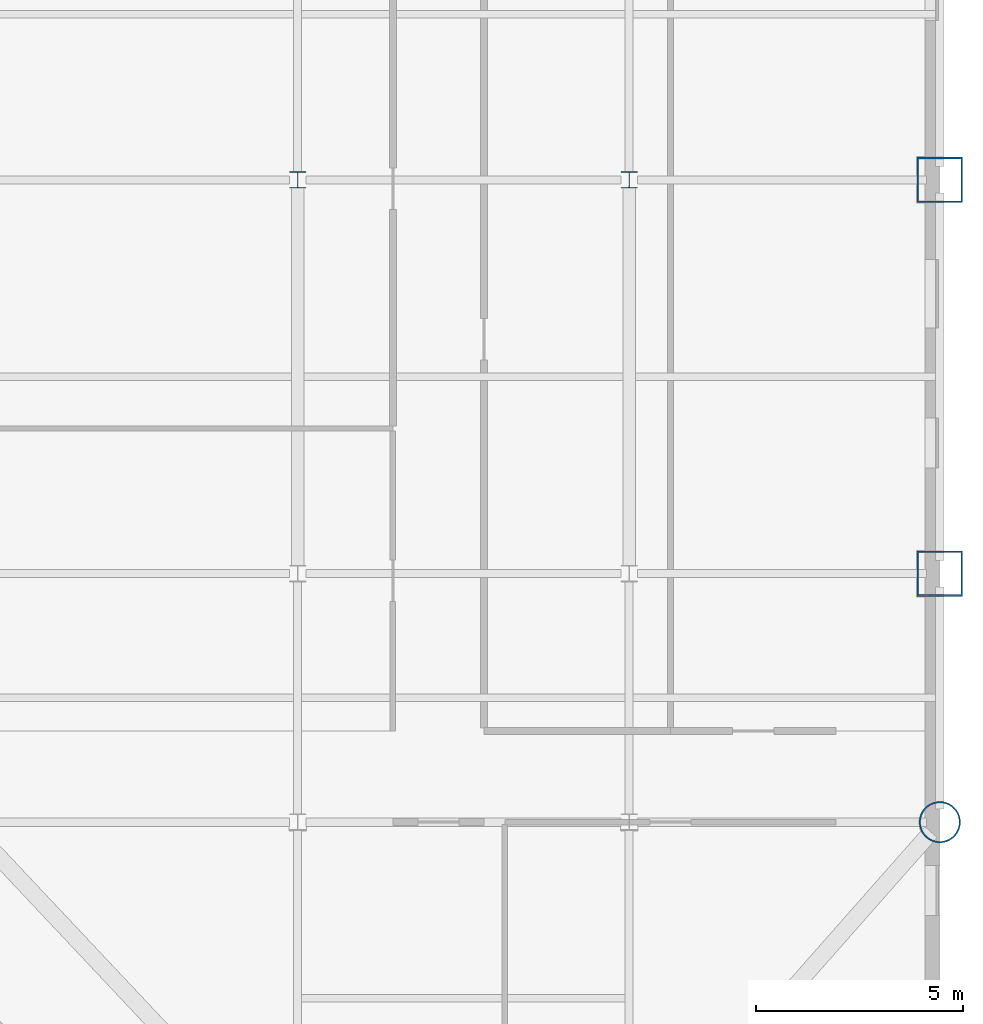
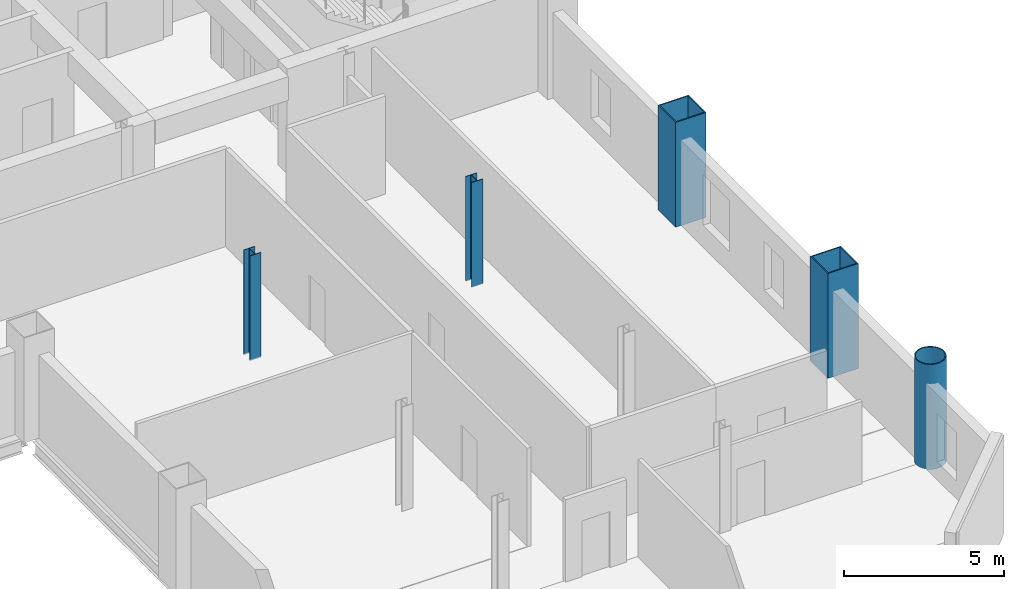
# One storey, part 2 of 10: 5 columns.
"""IFC4 building model written with IfcOpenShell, lengths in metres."""

from ifc_helpers import new_model, si_unit, direction, frame, origin, origin_2d, place, context, subcontext, project, spatial, hollow_rectangle, hollow_circle, i_section, extrude, material, material_profile, profile_set, type_object, element, save


model = new_model("IFC4")

# Units and contexts
model_context = context("Model", 3, precision=1e-05, world=origin(), true_north=direction((0.0, 1.0)))
body_context = subcontext(model_context, "Body", "Model", "MODEL_VIEW")
ifc_project = project(units=[si_unit("LENGTHUNIT", "METRE"), si_unit("AREAUNIT", "SQUARE_METRE"), si_unit("VOLUMEUNIT", "CUBIC_METRE"), si_unit("PLANEANGLEUNIT", "RADIAN"), si_unit("MASSUNIT", "GRAM", prefix="KILO")], contexts=[model_context])

# Site, building, storey
site_placement = place(None, origin())
site = spatial("IfcSite", under=ifc_project, at=site_placement, CompositionType="ELEMENT")
building_placement = place(site_placement, origin())
building = spatial("IfcBuilding", under=site, at=building_placement, Name="Qianrong Seaharbour Tower", CompositionType="ELEMENT")
storey_placement = place(building_placement, frame((0.0, 0.0, 159.0)))
storey = spatial("IfcBuildingStorey", under=building, at=storey_placement, Name="L38", CompositionType="ELEMENT", Elevation=159.0)

# Columns
ifc_material = material(Name="Structural steel SN490B", Category="steel")
ifc_material_profile_1 = material_profile(ifc_material, hollow_rectangle(XDim=1.10009765625, YDim=1.10009765625, WallThickness=0.0400390625, at=origin_2d()), Name="BOX1100x1100x40")
ifc_profile_set_1 = profile_set([ifc_material_profile_1], Name="Structural steel SN490B")
column_type_1 = type_object("IfcColumnType", Name="COL-CFT-1100", PredefinedType="COLUMN", material=ifc_profile_set_1)
for number, where, z_axis, x_axis, name in (
    (1, (64.0, 18.5, 0.0), (0.0, 0.0, 1.0), (1.0, 0.0, 0.0), "L38 Column MC-3 at G9/GD"),
    (2, (64.0, 28.0, 0.0), (0.0, 0.0, 1.0), (1.0, 0.0, 0.0), "L38 Column MC-3 at G9/GE"),
):
    element("IfcColumn", number, at=place(storey_placement, frame(where, z_axis=z_axis, x_axis=x_axis)), inside=storey, type_object=column_type_1, Name=name, PredefinedType="COLUMN", context=body_context, shape_type="SweptSolid", body=[
        extrude(hollow_rectangle(XDim=1.10009765625, YDim=1.10009765625, WallThickness=0.0400390625, at=origin_2d()), origin(), (0.0, 0.0, 1.0), 4.0),
    ])
ifc_material_profile_2 = material_profile(ifc_material, hollow_circle(Radius=0.5, WallThickness=0.035888671875, at=origin_2d()), Name="CHS1000x36")
ifc_profile_set_2 = profile_set([ifc_material_profile_2], Name="Structural steel SN490B")
column_type_2 = type_object("IfcColumnType", Name="COL-CHS-1000", PredefinedType="COLUMN", material=ifc_profile_set_2)
column_placement = place(storey_placement, frame((64.0, 12.5, 0.0), z_axis=(0.0, 0.0, 1.0), x_axis=(1.0, 0.0, 0.0)))
element("IfcColumn", 3, at=column_placement, inside=storey, type_object=column_type_2, Name="L38 Column CC-2 at G9/GC", PredefinedType="COLUMN", context=body_context, shape_type="SweptSolid", body=[
    extrude(hollow_circle(Radius=0.5, WallThickness=0.035888671875, at=origin_2d()), origin(), (0.0, 0.0, 1.0), 4.0),
])
ifc_material_profile_3 = material_profile(ifc_material, i_section(OverallWidth=0.39990234375, OverallDepth=0.39990234375, WebThickness=0.012939453125, FlangeThickness=0.02099609375, FilletRadius=0.02197265625, at=origin_2d()), Name="H400x400x13x21")
ifc_profile_set_3 = profile_set([ifc_material_profile_3], Name="Structural steel SN490B")
column_type_3 = type_object("IfcColumnType", Name="COL-INT-H400", PredefinedType="COLUMN", material=ifc_profile_set_3)
for number, where, z_axis, x_axis, name in (
    (4, (48.5, 28.0, 0.0), (0.0, 0.0, 1.0), (1.0, 0.0, 0.0), "L38 Column IC-3 at G7/GE"),
    (5, (56.5, 28.0, 0.0), (0.0, 0.0, 1.0), (1.0, 0.0, 0.0), "L38 Column IC-3 at G8/GE"),
):
    element("IfcColumn", number, at=place(storey_placement, frame(where, z_axis=z_axis, x_axis=x_axis)), inside=storey, type_object=column_type_3, Name=name, PredefinedType="COLUMN", context=body_context, shape_type="SweptSolid", body=[
        extrude(i_section(OverallWidth=0.39990234375, OverallDepth=0.39990234375, WebThickness=0.012939453125, FlangeThickness=0.02099609375, FilletRadius=0.02197265625, at=origin_2d()), origin(), (0.0, 0.0, 1.0), 4.0),
    ])

save(model, "model.ifc")
